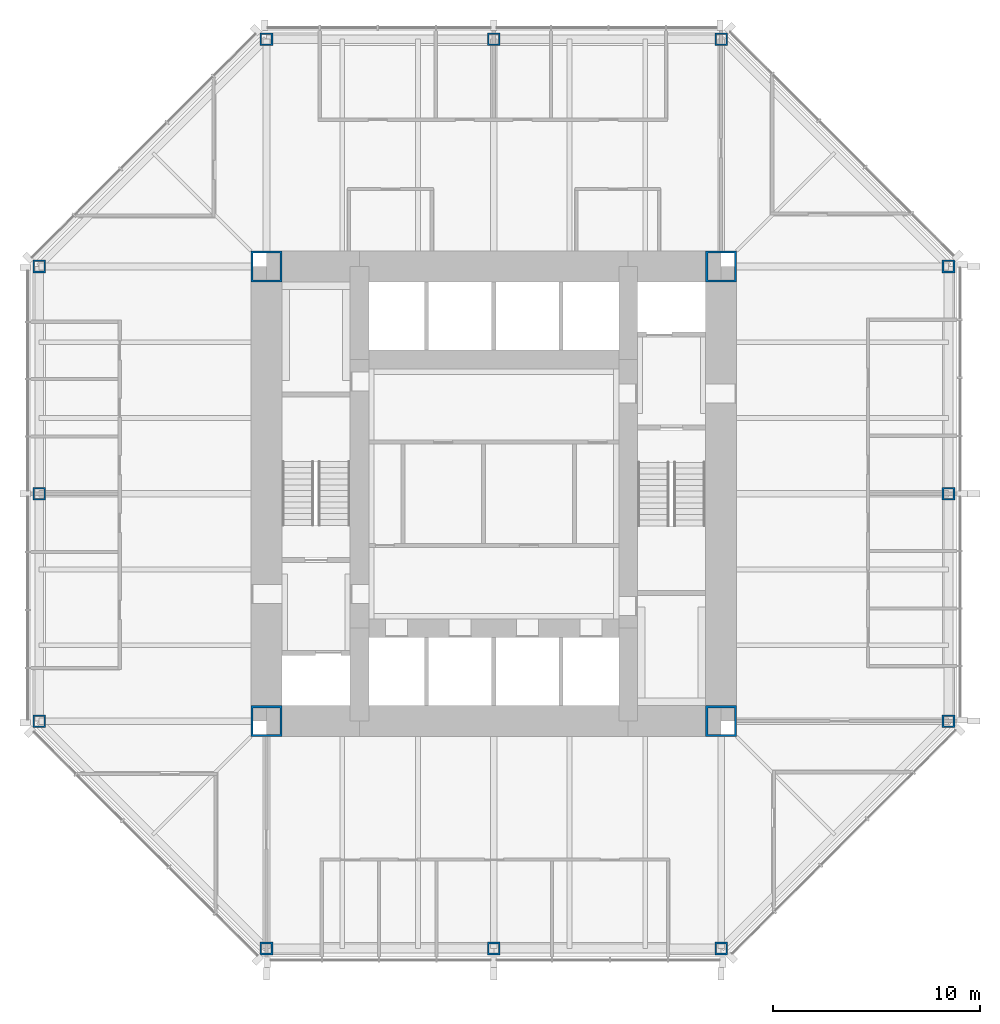
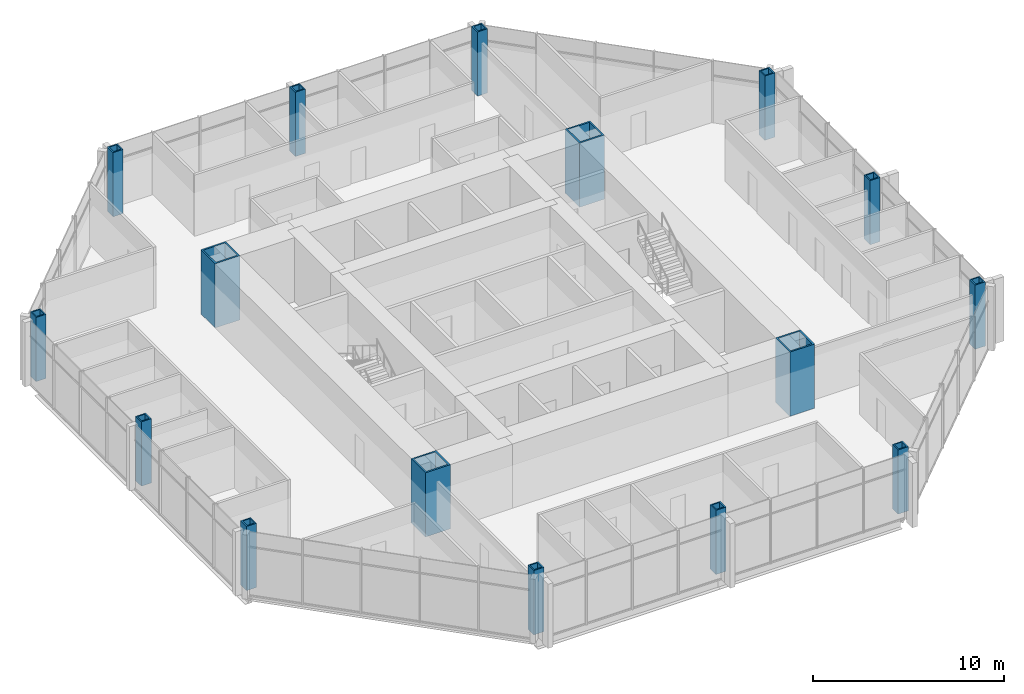
# One storey, part 1 of 12: 16 columns.
"""IFC4 building model written with IfcOpenShell, lengths in metres."""

from ifc_helpers import new_model, si_unit, direction, frame, origin, origin_2d, place, context, subcontext, project, spatial, hollow_rectangle, extrude, material, material_profile, profile_set, type_object, element, save


model = new_model("IFC4")

# Units and contexts
model_context = context("Model", 3, precision=1e-05, world=origin(), true_north=direction((0.0, 1.0)))
body_context = subcontext(model_context, "Body", "Model", "MODEL_VIEW")
ifc_project = project(units=[si_unit("LENGTHUNIT", "METRE"), si_unit("AREAUNIT", "SQUARE_METRE"), si_unit("VOLUMEUNIT", "CUBIC_METRE"), si_unit("PLANEANGLEUNIT", "RADIAN"), si_unit("MASSUNIT", "GRAM", prefix="KILO")], contexts=[model_context])

# Site, building, storey
site_placement = place(None, origin())
site = spatial("IfcSite", under=ifc_project, at=site_placement, CompositionType="ELEMENT")
building_placement = place(site_placement, origin())
building = spatial("IfcBuilding", under=site, at=building_placement, Name="Trevanion Tower", CompositionType="ELEMENT")
storey_placement = place(building_placement, frame((0.0, 0.0, 166.39990234375)))
storey = spatial("IfcBuildingStorey", under=building, at=storey_placement, Name="L39", CompositionType="ELEMENT", Elevation=166.39990234375)

# Columns
ifc_material_1 = material(Name="Steel ASTM A572 Grade 50", Category="steel")
ifc_material_profile_1 = material_profile(ifc_material_1, hollow_rectangle(XDim=0.609619140625, YDim=0.609619140625, WallThickness=0.076171875, at=origin_2d()), Name="BOX24X24X3")
ifc_profile_set_1 = profile_set([ifc_material_profile_1], Name="Steel ASTM A572 Grade 50")
column_type_1 = type_object("IfcColumnType", Name="C4 BOX24X24X3", PredefinedType="COLUMN", material=ifc_profile_set_1)
for number, where, z_axis, x_axis, name in (
    (1, (-22.0, 0.0, 0.0), (0.0, 0.0, 1.0), (0.0, 1.0, 0.0), "C4 4/H L39"),
    (2, (-22.0, -11.0, 0.0), (0.0, 0.0, 1.0), (0.0, 1.0, 0.0), "C4 4/F L39"),
    (3, (-11.0, -22.0, 0.0), (0.0, 0.0, 1.0), (1.0, 0.0, 0.0), "C4 8/B L39"),
    (4, (0.0, -22.0, 0.0), (0.0, 0.0, 1.0), (1.0, 0.0, 0.0), "C4 10/B L39"),
    (5, (11.0, -22.0, 0.0), (0.0, 0.0, 1.0), (1.0, 0.0, 0.0), "C4 12/B L39"),
    (6, (22.0, -11.0, 0.0), (0.0, 0.0, 1.0), (0.0, 1.0, 0.0), "C4 16/F L39"),
    (7, (22.0, 0.0, 0.0), (0.0, 0.0, 1.0), (0.0, 1.0, 0.0), "C4 16/H L39"),
    (8, (22.0, 11.0, 0.0), (0.0, 0.0, 1.0), (0.0, 1.0, 0.0), "C4 16/K L39"),
    (9, (11.0, 22.0, 0.0), (0.0, 0.0, 1.0), (1.0, 0.0, 0.0), "C4 12/P L39"),
    (10, (0.0, 22.0, 0.0), (0.0, 0.0, 1.0), (1.0, 0.0, 0.0), "C4 10/P L39"),
    (11, (-11.0, 22.0, 0.0), (0.0, 0.0, 1.0), (1.0, 0.0, 0.0), "C4 8/P L39"),
    (12, (-22.0, 11.0, 0.0), (0.0, 0.0, 1.0), (0.0, 1.0, 0.0), "C4 4/K L39"),
):
    element("IfcColumn", number, at=place(storey_placement, frame(where, z_axis=z_axis, x_axis=x_axis)), inside=storey, type_object=column_type_1, Name=name, PredefinedType="COLUMN", context=body_context, shape_type="SweptSolid", body=[
        extrude(hollow_rectangle(XDim=0.609619140625, YDim=0.609619140625, WallThickness=0.076171875, at=origin_2d()), origin(), (0.0, 0.0, 1.0), 4.10009765625),
    ])
ifc_material_2 = material(Name="Steel ASTM A572 Grade 50", Category="steel")
ifc_material_profile_2 = material_profile(ifc_material_2, hollow_rectangle(XDim=1.49853515625, YDim=1.49853515625, WallThickness=0.1015625, at=origin_2d()), Name="BOX59X59X4")
ifc_profile_set_2 = profile_set([ifc_material_profile_2], Name="Steel ASTM A572 Grade 50")
column_type_2 = type_object("IfcColumnType", Name="CB1 BOX59X59X4", PredefinedType="COLUMN", material=ifc_profile_set_2)
for number, where, z_axis, x_axis, name in (
    (13, (11.0, 11.0, 0.0), (0.0, 0.0, 1.0), (1.0, 0.0, 0.0), "CB1 NE L39"),
    (14, (-11.0, 11.0, 0.0), (0.0, 0.0, 1.0), (1.0, 0.0, 0.0), "CB1 NW L39"),
    (15, (-11.0, -11.0, 0.0), (0.0, 0.0, 1.0), (1.0, 0.0, 0.0), "CB1 SW L39"),
    (16, (11.0, -11.0, 0.0), (0.0, 0.0, 1.0), (1.0, 0.0, 0.0), "CB1 SE L39"),
):
    element("IfcColumn", number, at=place(storey_placement, frame(where, z_axis=z_axis, x_axis=x_axis)), inside=storey, type_object=column_type_2, Name=name, PredefinedType="COLUMN", context=body_context, shape_type="SweptSolid", body=[
        extrude(hollow_rectangle(XDim=1.49853515625, YDim=1.49853515625, WallThickness=0.1015625, at=origin_2d()), origin(), (0.0, 0.0, 1.0), 4.10009765625),
    ])

save(model, "model.ifc")
